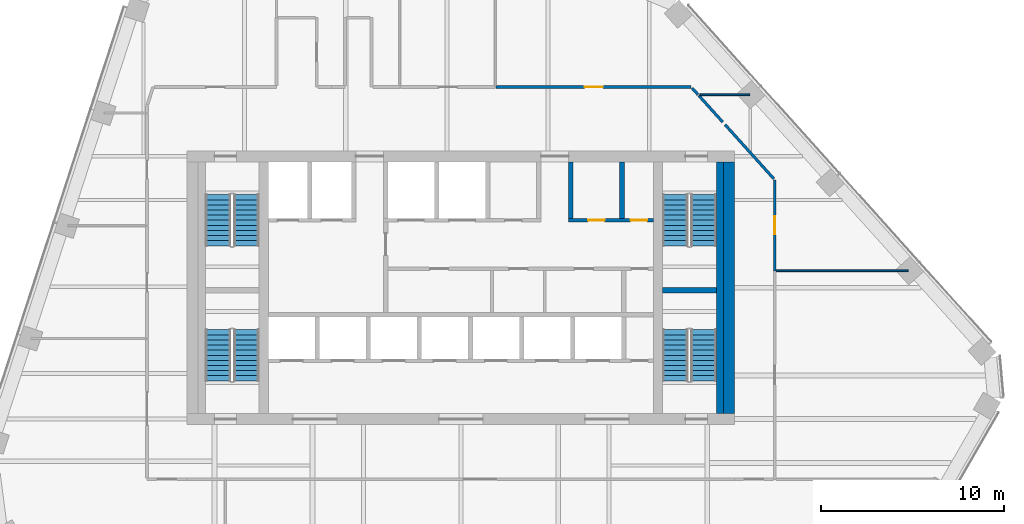
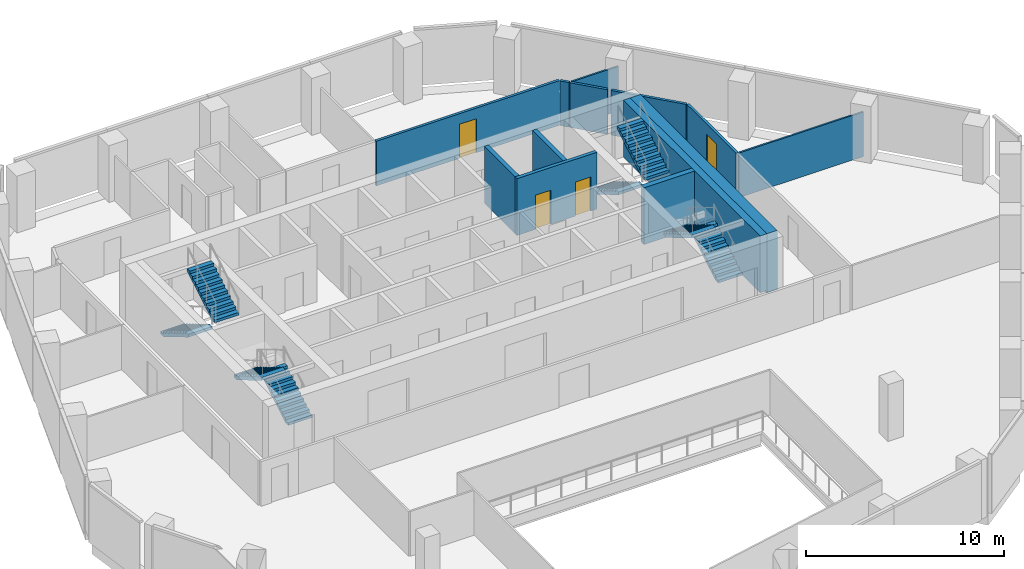
# One storey, part 11 of 15: 13 walls, 8 stair flights, 4 doors, 4 openings, 4 elements without a shape of their own.
"""IFC4 building model written with IfcOpenShell, lengths in metres."""

from ifc_helpers import new_model, si_unit, direction, frame, frame_2d, origin, place, context, subcontext, project, spatial, polyline, rectangle, outline, extrude, material, layer, layer_set, type_object, element, fill, aggregate, save


model = new_model("IFC4")

# Units and contexts
model_context = context("Model", 3, precision=1e-05, world=origin(), true_north=direction((0.0, 1.0)))
body_context = subcontext(model_context, "Body", "Model", "MODEL_VIEW")
ifc_project = project(units=[si_unit("LENGTHUNIT", "METRE"), si_unit("AREAUNIT", "SQUARE_METRE"), si_unit("VOLUMEUNIT", "CUBIC_METRE"), si_unit("PLANEANGLEUNIT", "RADIAN"), si_unit("MASSUNIT", "GRAM", prefix="KILO")], contexts=[model_context])

# Site, building, storey
site_placement = place(None, origin())
site = spatial("IfcSite", under=ifc_project, at=site_placement, CompositionType="ELEMENT")
building_placement = place(site_placement, origin())
building = spatial("IfcBuilding", under=site, at=building_placement, Name="Isthmus Gate Tower", CompositionType="ELEMENT")
storey_placement = place(building_placement, frame((0.0, 0.0, 227.25)))
storey = spatial("IfcBuildingStorey", under=building, at=storey_placement, Name="L57", CompositionType="ELEMENT", Elevation=227.25)

# Wall, opening, door
ifc_material_1 = material(Name="Gypsum board on steel studs, fire-rated", Category="steel")
ifc_layer_1 = layer(ifc_material_1, 0.14990234375)
ifc_layer_set_1 = layer_set([ifc_layer_1], Name="CORRIDOR WALL 150 60 MIN")
wall_type_1 = type_object("IfcWallType", Name="CORRIDOR WALL 150 60 MIN", PredefinedType="PARTITIONING", material=ifc_layer_set_1)
wall_1_placement = place(storey_placement, frame((17.199951171875, 13.407958984375, 0.0), z_axis=(0.0, 0.0, 1.0), x_axis=(0.0, -1.0, 0.0)))
wall_1 = element("IfcWall", 1, at=wall_1_placement, inside=storey, type_object=wall_type_1, Name="L57 Corridor Wall 150 60 Min", PredefinedType="PARTITIONING", context=body_context, shape_type="SweptSolid", body=[
    extrude(rectangle(XDim=4.97998046875, YDim=0.14990234375, at=frame_2d((2.489990234375, 0.0))), origin(), (0.0, 0.0, 1.0), 2.750732421875),
])
opening_1_placement = place(wall_1_placement, frame((1.989990234375, 0.0, 0.0)))
opening_1 = element("IfcOpeningElement", 2, at=opening_1_placement, cuts=wall_1, Name="Opening DT-T5B-06", PredefinedType="OPENING", context=body_context, shape_type="SweptSolid", body=[
    extrude(rectangle(XDim=1.0, YDim=2.10009765625, at=frame_2d((0.5, 1.050048828125))), frame((0.0, 0.0849609375, 0.0), z_axis=(0.0, -1.0, 0.0), x_axis=(1.0, 0.0, 0.0)), (0.0, 0.0, 1.0), 0.169921875),
])
ifc_material_2 = material(Name="Solid core timber door leaf, fire-rated", Category="wood")
door_type_1 = type_object("IfcDoorType", Name="FIRE DOOR ROOM 1000 X 2100 60 MIN", OperationType="SINGLE_SWING_LEFT", PredefinedType="DOOR", material=ifc_material_2)
door_1_placement = place(opening_1_placement, origin())
door_1 = element("IfcDoor", 3, at=door_1_placement, inside=storey, type_object=door_type_1, Name="L57 room door", OperationType="SINGLE_SWING_LEFT", OverallHeight=2.10009765625, OverallWidth=1.0, PredefinedType="DOOR", context=body_context, shape_type="SweptSolid", body=[
    extrude(rectangle(XDim=1.0, YDim=2.10009765625, at=frame_2d((0.5, 1.050048828125))), frame((0.0, 0.02490234375, 0.0), z_axis=(0.0, -1.0, 0.0), x_axis=(1.0, 0.0, 0.0)), (0.0, 0.0, 1.0), 0.050048828125),
])
fill(opening_1, door_1)

wall_2_placement = place(storey_placement, frame((1.930908203125, 18.5, 0.0), z_axis=(0.0, 0.0, 1.0), x_axis=(1.0, 0.0, 0.0)))
wall_2 = element("IfcWall", 4, at=wall_2_placement, inside=storey, type_object=wall_type_1, Name="L57 Corridor Wall 150 60 Min", PredefinedType="PARTITIONING", context=body_context, shape_type="SweptSolid", body=[
    extrude(rectangle(XDim=10.68408203125, YDim=0.14990234375, at=frame_2d((5.342041015625, 0.0))), origin(), (0.0, 0.0, 1.0), 2.750732421875),
])
opening_2_placement = place(wall_2_placement, frame((4.842041015625, 0.0, 0.0)))
opening_2 = element("IfcOpeningElement", 5, at=opening_2_placement, cuts=wall_2, Name="Opening DT-T5B-04", PredefinedType="OPENING", context=body_context, shape_type="SweptSolid", body=[
    extrude(rectangle(XDim=1.0, YDim=2.10009765625, at=frame_2d((0.5, 1.050048828125))), frame((0.0, 0.0849609375, 0.0), z_axis=(0.0, -1.0, 0.0), x_axis=(1.0, 0.0, 0.0)), (0.0, 0.0, 1.0), 0.169921875),
])
door_2_placement = place(opening_2_placement, origin())
door_2 = element("IfcDoor", 6, at=door_2_placement, inside=storey, type_object=door_type_1, Name="L57 room door", OperationType="SINGLE_SWING_RIGHT", OverallHeight=2.10009765625, OverallWidth=1.0, PredefinedType="DOOR", context=body_context, shape_type="SweptSolid", body=[
    extrude(rectangle(XDim=1.0, YDim=2.10009765625, at=frame_2d((0.5, 1.050048828125))), frame((0.0, 0.02490234375, 0.0), z_axis=(0.0, -1.0, 0.0), x_axis=(1.0, 0.0, 0.0)), (0.0, 0.0, 1.0), 0.050048828125),
])
fill(opening_2, door_2)

# Walls
wall_3_placement = place(storey_placement, frame((12.6650390625, 18.444091796875, 0.0), z_axis=(0.0, 0.0, 1.0), x_axis=(0.668637752652, -0.743588297197, 0.0)))
element("IfcWall", 7, at=wall_3_placement, inside=storey, type_object=wall_type_1, Name="L57 Corridor Wall 150 60 Min", PredefinedType="PARTITIONING", context=body_context, shape_type="SweptSolid", body=[
    extrude(rectangle(XDim=0.4951171875, YDim=0.14990234375, at=frame_2d((0.24755859375, 0.0))), origin(), (0.0, 0.0, 1.0), 2.750732421875),
])
wall_4_placement = place(storey_placement, frame((13.029541015625, 18.038818359375, 0.0), z_axis=(0.0, 0.0, 1.0), x_axis=(0.669183955235, -0.743096786466, 0.0)))
element("IfcWall", 8, at=wall_4_placement, inside=storey, type_object=wall_type_1, Name="L57 Corridor Wall 150 60 Min", PredefinedType="PARTITIONING", context=body_context, shape_type="SweptSolid", body=[
    extrude(rectangle(XDim=1.96875, YDim=0.14990234375, at=frame_2d((0.984375, 0.0))), origin(), (0.0, 0.0, 1.0), 2.750732421875),
])
wall_5_placement = place(storey_placement, frame((14.47607421875, 16.4326171875, 0.0), z_axis=(0.0, 0.0, 1.0), x_axis=(0.669204384193, -0.743078388985, 0.0)))
element("IfcWall", 9, at=wall_5_placement, inside=storey, type_object=wall_type_1, Name="L57 Corridor Wall 150 60 Min", PredefinedType="PARTITIONING", context=body_context, shape_type="SweptSolid", body=[
    extrude(rectangle(XDim=3.99560546875, YDim=0.14990234375, at=frame_2d((1.997802734375, 0.0))), origin(), (0.0, 0.0, 1.0), 2.750732421875),
])
ifc_material_3 = material(Name="Concrete f'c 50 MPa", Category="concrete")
ifc_layer_2 = layer(ifc_material_3, 0.60009765625)
ifc_layer_set_2 = layer_set([ifc_layer_2], Name="RC CORE WALL 600 F'C 50")
wall_type_2 = type_object("IfcWallType", Name="RC CORE WALL 600 F'C 50", PredefinedType="SOLIDWALL", material=ifc_layer_set_2)
wall_6_placement = place(storey_placement, frame((14.699951171875, 0.60009765625, -0.14990234375), z_axis=(0.0, 0.0, 1.0), x_axis=(0.0, 1.0, 0.0)))
element("IfcWall", 10, at=wall_6_placement, inside=storey, type_object=wall_type_2, Name="str-corewall-L57-E", PredefinedType="SOLIDWALL", context=body_context, shape_type="SweptSolid", body=[
    extrude(rectangle(XDim=13.7998046875, YDim=0.60009765625, at=frame_2d((6.89990234375, 0.0))), origin(), (0.0, 0.0, 1.0), 3.64990234375),
])
ifc_material_4 = material(Name="Gypsum board on steel studs, fire-rated", Category="steel")
ifc_layer_3 = layer(ifc_material_4, 0.10009765625)
ifc_layer_set_3 = layer_set([ifc_layer_3], Name="ROOM PARTITION 100 30 MIN")
wall_type_3 = type_object("IfcWallType", Name="ROOM PARTITION 100 30 MIN", PredefinedType="PARTITIONING", material=ifc_layer_set_3)
wall_7_placement = place(storey_placement, frame((13.096923828125, 18.075927734375, 0.0), z_axis=(0.0, 0.0, 1.0), x_axis=(1.0, 0.0, 0.0)))
element("IfcWall", 11, at=wall_7_placement, inside=storey, type_object=wall_type_3, Name="L57 Room Partition 100 30 Min", PredefinedType="PARTITIONING", context=body_context, shape_type="SweptSolid", body=[
    extrude(rectangle(XDim=2.72509765625, YDim=0.10009765625, at=frame_2d((1.362548828125, 0.0))), origin(), (0.0, 0.0, 1.0), 2.750732421875),
])
wall_8_placement = place(storey_placement, frame((17.27490234375, 8.427978515625, 0.0), z_axis=(0.0, 0.0, 1.0), x_axis=(1.0, 0.0, 0.0)))
element("IfcWall", 12, at=wall_8_placement, inside=storey, type_object=wall_type_3, Name="L57 Room Partition 100 30 Min", PredefinedType="PARTITIONING", context=body_context, shape_type="SweptSolid", body=[
    extrude(rectangle(XDim=7.235107421875, YDim=0.10009765625, at=frame_2d((3.61767578125, 0.0))), origin(), (0.0, 0.0, 1.0), 2.750732421875),
])

# Wall, openings, doors
ifc_material_5 = material(Name="Fire-rated blockwork masonry, 15 MPa", Category="masonry")
ifc_layer_4 = layer(ifc_material_5, 0.199951171875)
ifc_layer_set_4 = layer_set([ifc_layer_4], Name="SHAFT FRONT WALL 200 120 MIN")
wall_type_4 = type_object("IfcWallType", Name="SHAFT FRONT WALL 200 120 MIN", PredefinedType="PARTITIONING", material=ifc_layer_set_4)
wall_9_placement = place(storey_placement, frame((5.89990234375, 11.199951171875, 0.0), z_axis=(0.0, 0.0, 1.0), x_axis=(1.0, 0.0, 0.0)))
wall_9 = element("IfcWall", 13, at=wall_9_placement, inside=storey, type_object=wall_type_4, Name="L57 SHAFT FRONT WALL 200 120 MIN", PredefinedType="PARTITIONING", context=body_context, shape_type="SweptSolid", body=[
    extrude(rectangle(XDim=4.650146484375, YDim=0.199951171875, at=frame_2d((2.3251953125, 0.0))), origin(), (0.0, 0.0, 1.0), 3.5),
])
opening_3_placement = place(wall_9_placement, frame((1.074951171875, 0.0, 0.0)))
opening_3 = element("IfcOpeningElement", 14, at=opening_3_placement, cuts=wall_9, Name="Opening DC-A19-08", PredefinedType="OPENING", context=body_context, shape_type="SweptSolid", body=[
    extrude(rectangle(XDim=0.89990234375, YDim=2.10009765625, at=frame_2d((0.449951171875, 1.050048828125))), frame((0.0, 0.10986328125, 0.0), z_axis=(0.0, -1.0, 0.0), x_axis=(1.0, 0.0, 0.0)), (0.0, 0.0, 1.0), 0.219970703125),
])
opening_4_placement = place(wall_9_placement, frame((3.39990234375, 0.0, 0.0)))
opening_4 = element("IfcOpeningElement", 15, at=opening_4_placement, cuts=wall_9, Name="Opening DC-A19-09", PredefinedType="OPENING", context=body_context, shape_type="SweptSolid", body=[
    extrude(rectangle(XDim=0.89990234375, YDim=2.10009765625, at=frame_2d((0.449951171875, 1.050048828125))), frame((0.0, 0.10986328125, 0.0), z_axis=(0.0, -1.0, 0.0), x_axis=(1.0, 0.0, 0.0)), (0.0, 0.0, 1.0), 0.219970703125),
])
ifc_material_6 = material(Name="Steel door leaf, fire-rated", Category="steel")
door_type_2 = type_object("IfcDoorType", Name="FIRE DOOR 900 X 2100 60 MIN", OperationType="SINGLE_SWING_LEFT", PredefinedType="DOOR", material=ifc_material_6)
door_3_placement = place(opening_3_placement, origin())
door_3 = element("IfcDoor", 16, at=door_3_placement, inside=storey, type_object=door_type_2, Name="Stationery Store Door", OperationType="SINGLE_SWING_RIGHT", OverallHeight=2.10009765625, OverallWidth=0.89990234375, PredefinedType="DOOR", context=body_context, shape_type="SweptSolid", body=[
    extrude(rectangle(XDim=0.89990234375, YDim=2.10009765625, at=frame_2d((0.449951171875, 1.050048828125))), frame((0.0, 0.02490234375, 0.0), z_axis=(0.0, -1.0, 0.0), x_axis=(1.0, 0.0, 0.0)), (0.0, 0.0, 1.0), 0.050048828125),
])
fill(opening_3, door_3)
ifc_material_7 = material(Name="Steel door leaf, fire-rated", Category="steel")
door_type_3 = type_object("IfcDoorType", Name="RISER FIRE DOOR 900 X 2100 90 MIN", OperationType="SINGLE_SWING_LEFT", PredefinedType="DOOR", material=ifc_material_7)
door_4_placement = place(opening_4_placement, origin())
door_4 = element("IfcDoor", 17, at=door_4_placement, inside=storey, type_object=door_type_3, Name="Riser Door", OperationType="SINGLE_SWING_LEFT", OverallHeight=2.10009765625, OverallWidth=0.89990234375, PredefinedType="DOOR", context=body_context, shape_type="SweptSolid", body=[
    extrude(rectangle(XDim=0.89990234375, YDim=2.10009765625, at=frame_2d((0.449951171875, 1.050048828125))), frame((0.0, 0.02490234375, 0.0), z_axis=(0.0, -1.0, 0.0), x_axis=(1.0, 0.0, 0.0)), (0.0, 0.0, 1.0), 0.050048828125),
])
fill(opening_4, door_4)

# Walls
ifc_material_8 = material(Name="Fire-rated blockwork masonry, 15 MPa", Category="masonry")
ifc_layer_5 = layer(ifc_material_8, 0.25)
ifc_layer_set_5 = layer_set([ifc_layer_5], Name="SHAFT WALL 250 120 MIN")
wall_type_5 = type_object("IfcWallType", Name="SHAFT WALL 250 120 MIN", PredefinedType="PARTITIONING", material=ifc_layer_set_5)
for number, where, z_axis, x_axis, name in (
    (18, (6.02490234375, 11.300048828125, 0.0), (0.0, 0.0, 1.0), (0.0, 1.0, 0.0), "L57 SHAFT WALL 250 120 MIN"),
    (19, (8.824951171875, 11.300048828125, 0.0), (0.0, 0.0, 1.0), (0.0, 1.0, 0.0), "L57 SHAFT WALL 250 120 MIN"),
):
    element("IfcWall", number, at=place(storey_placement, frame(where, z_axis=z_axis, x_axis=x_axis)), inside=storey, type_object=wall_type_5, Name=name, PredefinedType="PARTITIONING", context=body_context, shape_type="SweptSolid", body=[
        extrude(rectangle(XDim=3.099853515625, YDim=0.25, at=frame_2d((1.5498046875, 0.0))), origin(), (0.0, 0.0, 1.0), 3.5),
    ])
ifc_material_9 = material(Name="Concrete f'c 40 MPa", Category="concrete")
ifc_layer_6 = layer(ifc_material_9, 0.300048828125)
ifc_layer_set_6 = layer_set([ifc_layer_6], Name="STAIR ENCLOSURE WALL 300 180 MIN")
wall_type_6 = type_object("IfcWallType", Name="STAIR ENCLOSURE WALL 300 180 MIN", PredefinedType="SOLIDWALL", material=ifc_layer_set_6)
wall_10_placement = place(storey_placement, frame((11.050048828125, 7.35009765625, 0.0), z_axis=(0.0, 0.0, 1.0), x_axis=(1.0, 0.0, 0.0)))
element("IfcWall", 20, at=wall_10_placement, inside=storey, type_object=wall_type_6, Name="L57 STAIR ENCLOSURE WALL 300 180 MIN", PredefinedType="SOLIDWALL", context=body_context, shape_type="SweptSolid", body=[
    extrude(rectangle(XDim=2.949951171875, YDim=0.300048828125, at=frame_2d((1.47509765625, 0.0))), origin(), (0.0, 0.0, 1.0), 3.5),
])
ifc_material_10 = material(Name="Concrete f'c 40 MPa", Category="concrete")
ifc_layer_7 = layer(ifc_material_10, 0.39990234375)
ifc_layer_set_7 = layer_set([ifc_layer_7], Name="STAIR ENCLOSURE WALL 400 180 MIN")
wall_type_7 = type_object("IfcWallType", Name="STAIR ENCLOSURE WALL 400 180 MIN", PredefinedType="SOLIDWALL", material=ifc_layer_set_7)
wall_11_placement = place(storey_placement, frame((14.199951171875, 0.60009765625, 0.0), z_axis=(0.0, 0.0, 1.0), x_axis=(0.0, 1.0, 0.0)))
element("IfcWall", 21, at=wall_11_placement, inside=storey, type_object=wall_type_7, Name="L57 STAIR ENCLOSURE WALL 400 180 MIN", PredefinedType="SOLIDWALL", context=body_context, shape_type="SweptSolid", body=[
    extrude(rectangle(XDim=13.7998046875, YDim=0.39990234375, at=frame_2d((6.89990234375, 0.0))), origin(), (0.0, 0.0, 1.0), 3.5),
])

# Stair, stair flights
ifc_material_11 = material(Name="Concrete f'c 40 MPa", Category="concrete")
stair_type = type_object("IfcStairType", Name="CORE STAIR 22 RISERS", PredefinedType="HALF_TURN_STAIR", material=ifc_material_11)
stair_1_placement = place(storey_placement, origin())
stair_1 = element("IfcStair", 22, at=stair_1_placement, inside=storey, type_object=stair_type, Name="L57 Exit Stair 1", PredefinedType="HALF_TURN_STAIR")
ifc_material_12 = material(Name="Concrete f'c 40 MPa", Category="concrete")
stair_flight_type = type_object("IfcStairFlightType", Name="STAIR FLIGHT RC 1400", PredefinedType="STRAIGHT", material=ifc_material_12)
stair_flight_1_placement = place(storey_placement, frame((-13.300048828125, 12.60009765625, 0.0), z_axis=(0.0, 0.0, 1.0), x_axis=(0.0, -1.0, 0.0)))
stair_flight_1 = element("IfcStairFlight", 23, at=stair_flight_1_placement, type_object=stair_flight_type, Name="ST1 flight 1", NumberOfRisers=11, NumberOfTreads=10, PredefinedType="STRAIGHT", RiserHeight=0.165909091, TreadLength=0.28, context=body_context, shape_type="SweptSolid", body=[
    extrude(outline(polyline([(0.0, 0.0), (0.0, 0.166015625), (0.280029296875, 0.166015625), (0.280029296875, 0.331787109375), (0.56005859375, 0.331787109375), (0.56005859375, 0.497802734375), (0.840087890625, 0.497802734375), (0.840087890625, 0.66357421875), (1.1201171875, 0.66357421875), (1.1201171875, 0.82958984375), (1.39990234375, 0.82958984375), (1.39990234375, 0.995361328125), (1.679931640625, 0.995361328125), (1.679931640625, 1.161376953125), (1.9599609375, 1.161376953125), (1.9599609375, 1.327392578125), (2.239990234375, 1.327392578125), (2.239990234375, 1.4931640625), (2.52001953125, 1.4931640625), (2.52001953125, 1.6591796875), (2.800048828125, 1.6591796875), (2.800048828125, 1.824951171875), (2.800048828125, 1.48486328125), (0.2939453125, 0.0), (0.0, 0.0)])), frame((0.0, 0.699951171875, 0.0), z_axis=(0.0, -1.0, 0.0), x_axis=(1.0, 0.0, 0.0)), (0.0, 0.0, 1.0), 1.39990234375),
])
stair_flight_2_placement = place(storey_placement, frame((-11.75, 9.800048828125, 1.824951171875), z_axis=(0.0, 0.0, 1.0), x_axis=(0.0, 1.0, 0.0)))
stair_flight_2 = element("IfcStairFlight", 24, at=stair_flight_2_placement, type_object=stair_flight_type, Name="ST1 flight 2", NumberOfRisers=11, NumberOfTreads=10, PredefinedType="STRAIGHT", RiserHeight=0.165909091, TreadLength=0.28, context=body_context, shape_type="SweptSolid", body=[
    extrude(outline(polyline([(0.0, 0.0), (0.0, 0.166015625), (0.280029296875, 0.166015625), (0.280029296875, 0.331787109375), (0.56005859375, 0.331787109375), (0.56005859375, 0.497802734375), (0.840087890625, 0.497802734375), (0.840087890625, 0.66357421875), (1.1201171875, 0.66357421875), (1.1201171875, 0.82958984375), (1.39990234375, 0.82958984375), (1.39990234375, 0.995361328125), (1.679931640625, 0.995361328125), (1.679931640625, 1.161376953125), (1.9599609375, 1.161376953125), (1.9599609375, 1.327392578125), (2.239990234375, 1.327392578125), (2.239990234375, 1.4931640625), (2.52001953125, 1.4931640625), (2.52001953125, 1.6591796875), (2.800048828125, 1.6591796875), (2.800048828125, 1.824951171875), (2.800048828125, 1.48486328125), (0.2939453125, 0.0), (0.0, 0.0)])), frame((0.0, 0.699951171875, 0.0), z_axis=(0.0, -1.0, 0.0), x_axis=(1.0, 0.0, 0.0)), (0.0, 0.0, 1.0), 1.39990234375),
])
aggregate(stair_1, [stair_flight_1, stair_flight_2])

stair_2_placement = place(storey_placement, origin())
stair_2 = element("IfcStair", 25, at=stair_2_placement, inside=storey, type_object=stair_type, Name="L57 Exit Stair 2", PredefinedType="HALF_TURN_STAIR")
stair_flight_3_placement = place(storey_placement, frame((11.75, 12.60009765625, 0.0), z_axis=(0.0, 0.0, 1.0), x_axis=(0.0, -1.0, 0.0)))
stair_flight_3 = element("IfcStairFlight", 26, at=stair_flight_3_placement, type_object=stair_flight_type, Name="ST2 flight 1", NumberOfRisers=11, NumberOfTreads=10, PredefinedType="STRAIGHT", RiserHeight=0.165909091, TreadLength=0.28, context=body_context, shape_type="SweptSolid", body=[
    extrude(outline(polyline([(0.0, 0.0), (0.0, 0.166015625), (0.280029296875, 0.166015625), (0.280029296875, 0.331787109375), (0.56005859375, 0.331787109375), (0.56005859375, 0.497802734375), (0.840087890625, 0.497802734375), (0.840087890625, 0.66357421875), (1.1201171875, 0.66357421875), (1.1201171875, 0.82958984375), (1.39990234375, 0.82958984375), (1.39990234375, 0.995361328125), (1.679931640625, 0.995361328125), (1.679931640625, 1.161376953125), (1.9599609375, 1.161376953125), (1.9599609375, 1.327392578125), (2.239990234375, 1.327392578125), (2.239990234375, 1.4931640625), (2.52001953125, 1.4931640625), (2.52001953125, 1.6591796875), (2.800048828125, 1.6591796875), (2.800048828125, 1.824951171875), (2.800048828125, 1.48486328125), (0.2939453125, 0.0), (0.0, 0.0)])), frame((0.0, 0.699951171875, 0.0), z_axis=(0.0, -1.0, 0.0), x_axis=(1.0, 0.0, 0.0)), (0.0, 0.0, 1.0), 1.39990234375),
])
stair_flight_4_placement = place(storey_placement, frame((13.300048828125, 9.800048828125, 1.824951171875), z_axis=(0.0, 0.0, 1.0), x_axis=(0.0, 1.0, 0.0)))
stair_flight_4 = element("IfcStairFlight", 27, at=stair_flight_4_placement, type_object=stair_flight_type, Name="ST2 flight 2", NumberOfRisers=11, NumberOfTreads=10, PredefinedType="STRAIGHT", RiserHeight=0.165909091, TreadLength=0.28, context=body_context, shape_type="SweptSolid", body=[
    extrude(outline(polyline([(0.0, 0.0), (0.0, 0.166015625), (0.280029296875, 0.166015625), (0.280029296875, 0.331787109375), (0.56005859375, 0.331787109375), (0.56005859375, 0.497802734375), (0.840087890625, 0.497802734375), (0.840087890625, 0.66357421875), (1.1201171875, 0.66357421875), (1.1201171875, 0.82958984375), (1.39990234375, 0.82958984375), (1.39990234375, 0.995361328125), (1.679931640625, 0.995361328125), (1.679931640625, 1.161376953125), (1.9599609375, 1.161376953125), (1.9599609375, 1.327392578125), (2.239990234375, 1.327392578125), (2.239990234375, 1.4931640625), (2.52001953125, 1.4931640625), (2.52001953125, 1.6591796875), (2.800048828125, 1.6591796875), (2.800048828125, 1.824951171875), (2.800048828125, 1.48486328125), (0.2939453125, 0.0), (0.0, 0.0)])), frame((0.0, 0.699951171875, 0.0), z_axis=(0.0, -1.0, 0.0), x_axis=(1.0, 0.0, 0.0)), (0.0, 0.0, 1.0), 1.39990234375),
])
aggregate(stair_2, [stair_flight_3, stair_flight_4])

stair_3_placement = place(storey_placement, origin())
stair_3 = element("IfcStair", 28, at=stair_3_placement, inside=storey, type_object=stair_type, Name="L57 Exit Stair 7", PredefinedType="HALF_TURN_STAIR")
stair_flight_5_placement = place(storey_placement, frame((-11.75, 2.39990234375, 0.0), z_axis=(0.0, 0.0, 1.0), x_axis=(0.0, 1.0, 0.0)))
stair_flight_5 = element("IfcStairFlight", 29, at=stair_flight_5_placement, type_object=stair_flight_type, Name="ST7 flight 1", NumberOfRisers=11, NumberOfTreads=10, PredefinedType="STRAIGHT", RiserHeight=0.165909091, TreadLength=0.28, context=body_context, shape_type="SweptSolid", body=[
    extrude(outline(polyline([(0.0, 0.0), (0.0, 0.166015625), (0.280029296875, 0.166015625), (0.280029296875, 0.331787109375), (0.56005859375, 0.331787109375), (0.56005859375, 0.497802734375), (0.840087890625, 0.497802734375), (0.840087890625, 0.66357421875), (1.1201171875, 0.66357421875), (1.1201171875, 0.82958984375), (1.39990234375, 0.82958984375), (1.39990234375, 0.995361328125), (1.679931640625, 0.995361328125), (1.679931640625, 1.161376953125), (1.9599609375, 1.161376953125), (1.9599609375, 1.327392578125), (2.239990234375, 1.327392578125), (2.239990234375, 1.4931640625), (2.52001953125, 1.4931640625), (2.52001953125, 1.6591796875), (2.800048828125, 1.6591796875), (2.800048828125, 1.824951171875), (2.800048828125, 1.48486328125), (0.2939453125, 0.0), (0.0, 0.0)])), frame((0.0, 0.699951171875, 0.0), z_axis=(0.0, -1.0, 0.0), x_axis=(1.0, 0.0, 0.0)), (0.0, 0.0, 1.0), 1.39990234375),
])
stair_flight_6_placement = place(storey_placement, frame((-13.300048828125, 5.199951171875, 1.824951171875), z_axis=(0.0, 0.0, 1.0), x_axis=(0.0, -1.0, 0.0)))
stair_flight_6 = element("IfcStairFlight", 30, at=stair_flight_6_placement, type_object=stair_flight_type, Name="ST7 flight 2", NumberOfRisers=11, NumberOfTreads=10, PredefinedType="STRAIGHT", RiserHeight=0.165909091, TreadLength=0.28, context=body_context, shape_type="SweptSolid", body=[
    extrude(outline(polyline([(0.0, 0.0), (0.0, 0.166015625), (0.280029296875, 0.166015625), (0.280029296875, 0.331787109375), (0.56005859375, 0.331787109375), (0.56005859375, 0.497802734375), (0.840087890625, 0.497802734375), (0.840087890625, 0.66357421875), (1.1201171875, 0.66357421875), (1.1201171875, 0.82958984375), (1.39990234375, 0.82958984375), (1.39990234375, 0.995361328125), (1.679931640625, 0.995361328125), (1.679931640625, 1.161376953125), (1.9599609375, 1.161376953125), (1.9599609375, 1.327392578125), (2.239990234375, 1.327392578125), (2.239990234375, 1.4931640625), (2.52001953125, 1.4931640625), (2.52001953125, 1.6591796875), (2.800048828125, 1.6591796875), (2.800048828125, 1.824951171875), (2.800048828125, 1.48486328125), (0.2939453125, 0.0), (0.0, 0.0)])), frame((0.0, 0.699951171875, 0.0), z_axis=(0.0, -1.0, 0.0), x_axis=(1.0, 0.0, 0.0)), (0.0, 0.0, 1.0), 1.39990234375),
])
aggregate(stair_3, [stair_flight_5, stair_flight_6])

stair_4_placement = place(storey_placement, origin())
stair_4 = element("IfcStair", 31, at=stair_4_placement, inside=storey, type_object=stair_type, Name="L57 Exit Stair 8", PredefinedType="HALF_TURN_STAIR")
stair_flight_7_placement = place(storey_placement, frame((13.300048828125, 2.39990234375, 0.0), z_axis=(0.0, 0.0, 1.0), x_axis=(0.0, 1.0, 0.0)))
stair_flight_7 = element("IfcStairFlight", 32, at=stair_flight_7_placement, type_object=stair_flight_type, Name="ST8 flight 1", NumberOfRisers=11, NumberOfTreads=10, PredefinedType="STRAIGHT", RiserHeight=0.165909091, TreadLength=0.28, context=body_context, shape_type="SweptSolid", body=[
    extrude(outline(polyline([(0.0, 0.0), (0.0, 0.166015625), (0.280029296875, 0.166015625), (0.280029296875, 0.331787109375), (0.56005859375, 0.331787109375), (0.56005859375, 0.497802734375), (0.840087890625, 0.497802734375), (0.840087890625, 0.66357421875), (1.1201171875, 0.66357421875), (1.1201171875, 0.82958984375), (1.39990234375, 0.82958984375), (1.39990234375, 0.995361328125), (1.679931640625, 0.995361328125), (1.679931640625, 1.161376953125), (1.9599609375, 1.161376953125), (1.9599609375, 1.327392578125), (2.239990234375, 1.327392578125), (2.239990234375, 1.4931640625), (2.52001953125, 1.4931640625), (2.52001953125, 1.6591796875), (2.800048828125, 1.6591796875), (2.800048828125, 1.824951171875), (2.800048828125, 1.48486328125), (0.2939453125, 0.0), (0.0, 0.0)])), frame((0.0, 0.699951171875, 0.0), z_axis=(0.0, -1.0, 0.0), x_axis=(1.0, 0.0, 0.0)), (0.0, 0.0, 1.0), 1.39990234375),
])
stair_flight_8_placement = place(storey_placement, frame((11.75, 5.199951171875, 1.824951171875), z_axis=(0.0, 0.0, 1.0), x_axis=(0.0, -1.0, 0.0)))
stair_flight_8 = element("IfcStairFlight", 33, at=stair_flight_8_placement, type_object=stair_flight_type, Name="ST8 flight 2", NumberOfRisers=11, NumberOfTreads=10, PredefinedType="STRAIGHT", RiserHeight=0.165909091, TreadLength=0.28, context=body_context, shape_type="SweptSolid", body=[
    extrude(outline(polyline([(0.0, 0.0), (0.0, 0.166015625), (0.280029296875, 0.166015625), (0.280029296875, 0.331787109375), (0.56005859375, 0.331787109375), (0.56005859375, 0.497802734375), (0.840087890625, 0.497802734375), (0.840087890625, 0.66357421875), (1.1201171875, 0.66357421875), (1.1201171875, 0.82958984375), (1.39990234375, 0.82958984375), (1.39990234375, 0.995361328125), (1.679931640625, 0.995361328125), (1.679931640625, 1.161376953125), (1.9599609375, 1.161376953125), (1.9599609375, 1.327392578125), (2.239990234375, 1.327392578125), (2.239990234375, 1.4931640625), (2.52001953125, 1.4931640625), (2.52001953125, 1.6591796875), (2.800048828125, 1.6591796875), (2.800048828125, 1.824951171875), (2.800048828125, 1.48486328125), (0.2939453125, 0.0), (0.0, 0.0)])), frame((0.0, 0.699951171875, 0.0), z_axis=(0.0, -1.0, 0.0), x_axis=(1.0, 0.0, 0.0)), (0.0, 0.0, 1.0), 1.39990234375),
])
aggregate(stair_4, [stair_flight_7, stair_flight_8])

save(model, "model.ifc")
